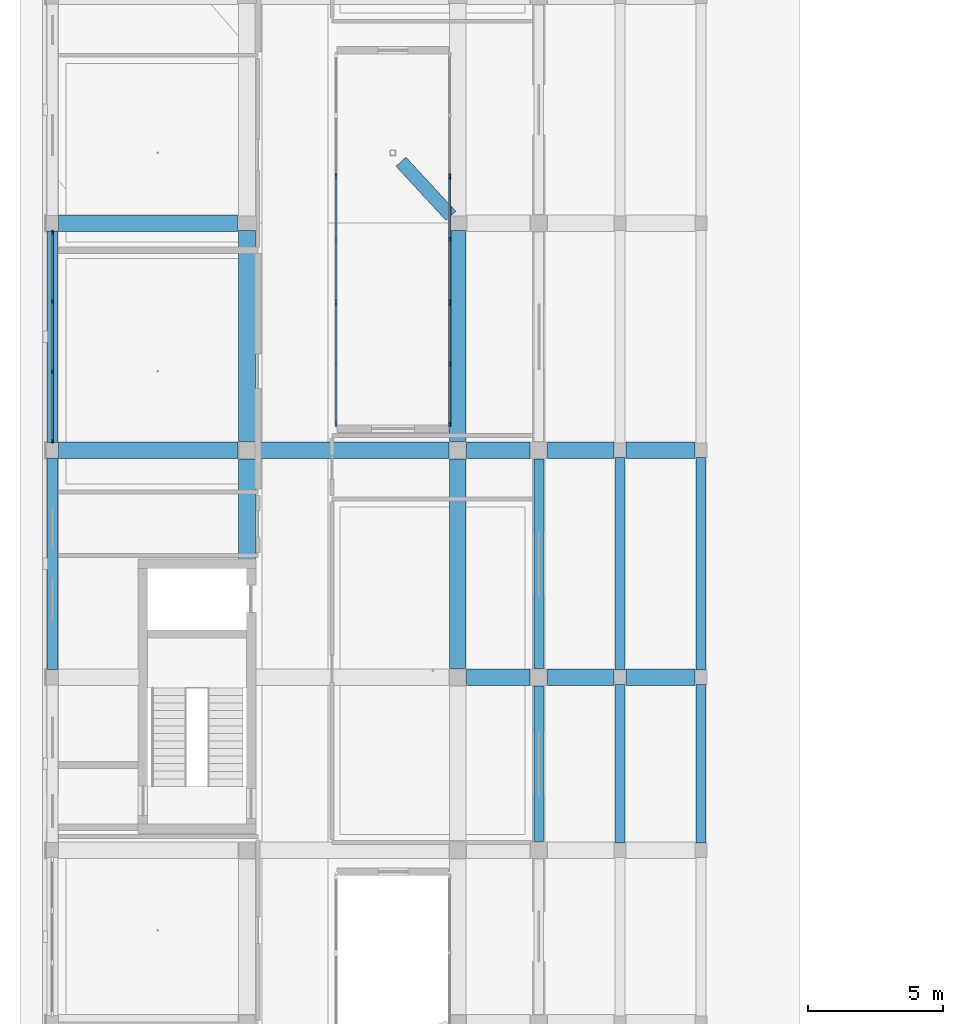
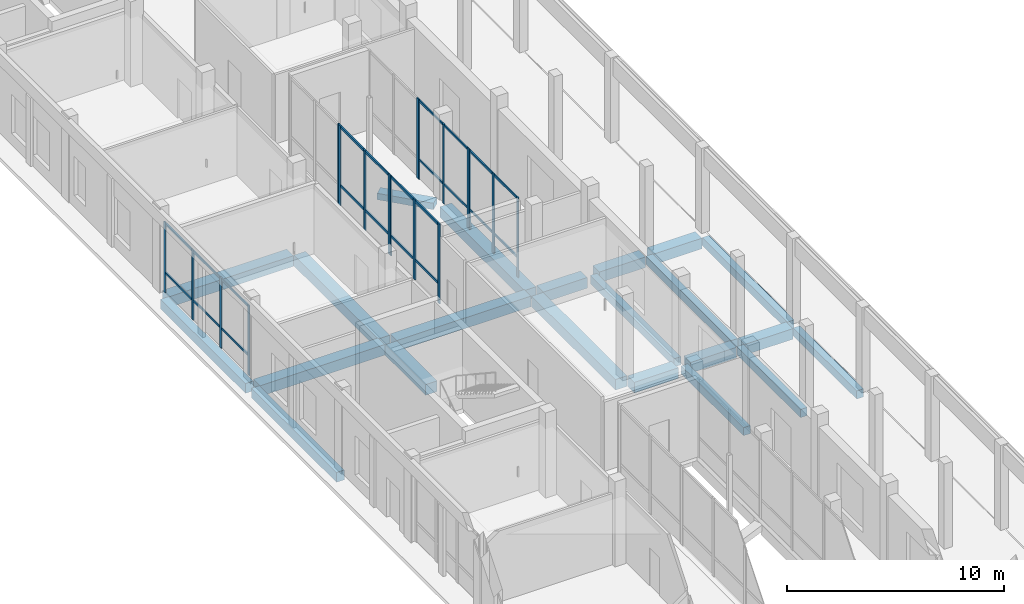
# One storey, part 21 of 88: 28 members, 22 beams, 7 elements without a shape of their own.
"""IFC4 building model written with IfcOpenShell, lengths in metres."""

from ifc_helpers import new_model, si_unit, derived_unit, direction, frame, origin, origin_2d, place, context, subcontext, project, spatial, rectangle, extrude, material, material_profile, profile_set, type_object, element, aggregate, save


model = new_model("IFC4")

# Units and contexts
model_context = context("Model", 3, precision=1e-05, world=origin(), true_north=direction((0.0, 1.0)))
body_context = subcontext(model_context, "Body", "Model", "MODEL_VIEW")
ifc_project = project(units=[si_unit("LENGTHUNIT", "METRE"), si_unit("AREAUNIT", "SQUARE_METRE"), si_unit("VOLUMEUNIT", "CUBIC_METRE"), si_unit("PLANEANGLEUNIT", "RADIAN"), si_unit("MASSUNIT", "GRAM", prefix="KILO"), derived_unit("THERMALTRANSMITTANCEUNIT", [(si_unit("POWERUNIT", "WATT"), 1), (si_unit("LENGTHUNIT", "METRE"), -2), (si_unit("THERMODYNAMICTEMPERATUREUNIT", "KELVIN"), -1)])], contexts=[model_context])

# Site, building, storey
site_placement = place(None, origin())
site = spatial("IfcSite", under=ifc_project, at=site_placement, CompositionType="ELEMENT")
building_placement = place(site_placement, origin())
building = spatial("IfcBuilding", under=site, at=building_placement, Name="Braskholm Square Health Centre", CompositionType="ELEMENT")
storey_placement = place(building_placement, origin())
storey = spatial("IfcBuildingStorey", under=building, at=storey_placement, Name="L01", CompositionType="ELEMENT", Elevation=0.0)

# Curtain wall, members
ifc_material_1 = material(Name="Low-E triple insulating glass (VLT 0.64)", Category="glass")
curtain_wall_type_1 = type_object("IfcCurtainWallType", Name="UnitisedCurtainWall6200x4100", PredefinedType="NOTDEFINED", material=ifc_material_1)
curtain_wall_1_placement = place(storey_placement, origin())
curtain_wall_1 = element("IfcCurtainWall", 1, at=curtain_wall_1_placement, inside=storey, type_object=curtain_wall_type_1, Name="West Storefront unitised curtain wall CW-L01-0004", PredefinedType="NOTDEFINED")
ifc_material_2 = material(Name="Architectural bronze anodised aluminium", Category="aluminium")
ifc_material_profile_1 = material_profile(ifc_material_2, rectangle(XDim=0.06494140625, YDim=0.14990234375, at=origin_2d()), Name="ALU-65X150")
ifc_profile_set_1 = profile_set([ifc_material_profile_1], Name="Architectural bronze anodised aluminium")
member_type_1 = type_object("IfcMemberType", Name="CurtainWallMullion65x150", PredefinedType="MULLION", material=ifc_profile_set_1)
member_1_placement = place(storey_placement, frame((4.199951171875, 71.863037109375, 0.0), z_axis=(0.0, 0.0, 1.0), x_axis=(1.0, 0.0, 0.0)))
member_1 = element("IfcMember", 2, at=member_1_placement, type_object=member_type_1, Name="CW-L01-0004 vertical mullion 1", PredefinedType="MULLION", context=body_context, shape_type="SweptSolid", body=[
    extrude(rectangle(XDim=0.06494140625, YDim=0.14990234375, at=origin_2d()), origin(), (0.0, 0.0, 1.0), 3.949951171875),
])
member_2_placement = place(storey_placement, frame((4.199951171875, 69.30322265625, 0.0), z_axis=(0.0, 0.0, 1.0), x_axis=(1.0, 0.0, 0.0)))
member_2 = element("IfcMember", 3, at=member_2_placement, type_object=member_type_1, Name="CW-L01-0004 vertical mullion 2", PredefinedType="MULLION", context=body_context, shape_type="SweptSolid", body=[
    extrude(rectangle(XDim=0.06494140625, YDim=0.14990234375, at=origin_2d()), origin(), (0.0, 0.0, 1.0), 3.949951171875),
])
member_3_placement = place(storey_placement, frame((4.199951171875, 66.69677734375, 0.0), z_axis=(0.0, 0.0, 1.0), x_axis=(1.0, 0.0, 0.0)))
member_3 = element("IfcMember", 4, at=member_3_placement, type_object=member_type_1, Name="CW-L01-0004 vertical mullion 3", PredefinedType="MULLION", context=body_context, shape_type="SweptSolid", body=[
    extrude(rectangle(XDim=0.06494140625, YDim=0.14990234375, at=origin_2d()), origin(), (0.0, 0.0, 1.0), 3.949951171875),
])
member_4_placement = place(storey_placement, frame((4.199951171875, 64.136962890625, 0.0), z_axis=(0.0, 0.0, 1.0), x_axis=(1.0, 0.0, 0.0)))
member_4 = element("IfcMember", 5, at=member_4_placement, type_object=member_type_1, Name="CW-L01-0004 vertical mullion 4", PredefinedType="MULLION", context=body_context, shape_type="SweptSolid", body=[
    extrude(rectangle(XDim=0.06494140625, YDim=0.14990234375, at=origin_2d()), origin(), (0.0, 0.0, 1.0), 3.949951171875),
])

curtain_wall_type_2 = type_object("IfcCurtainWallType", Name="UnitisedCurtainWall4800x4400", PredefinedType="NOTDEFINED", material=ifc_material_1)
curtain_wall_2_placement = place(storey_placement, origin())
curtain_wall_2 = element("IfcCurtainWall", 6, at=curtain_wall_2_placement, inside=storey, type_object=curtain_wall_type_2, Name="WC2 Court E unitised curtain wall CW-L01-0286", PredefinedType="NOTDEFINED")
member_5_placement = place(storey_placement, frame((18.89990234375, 69.23486328125, 0.0), z_axis=(0.0, 0.0, 1.0), x_axis=(1.0, 0.0, 0.0)))
member_5 = element("IfcMember", 7, at=member_5_placement, type_object=member_type_1, Name="CW-L01-0286 vertical mullion 1", PredefinedType="MULLION", context=body_context, shape_type="SweptSolid", body=[
    extrude(rectangle(XDim=0.06494140625, YDim=0.14990234375, at=origin_2d()), origin(), (0.0, 0.0, 1.0), 4.5),
])
member_6_placement = place(storey_placement, frame((18.89990234375, 67.0009765625, 0.0), z_axis=(0.0, 0.0, 1.0), x_axis=(1.0, 0.0, 0.0)))
member_6 = element("IfcMember", 8, at=member_6_placement, type_object=member_type_1, Name="CW-L01-0286 vertical mullion 2", PredefinedType="MULLION", context=body_context, shape_type="SweptSolid", body=[
    extrude(rectangle(XDim=0.06494140625, YDim=0.14990234375, at=origin_2d()), origin(), (0.0, 0.0, 1.0), 4.5),
])
member_7_placement = place(storey_placement, frame((18.89990234375, 64.76708984375, 0.0), z_axis=(0.0, 0.0, 1.0), x_axis=(1.0, 0.0, 0.0)))
member_7 = element("IfcMember", 9, at=member_7_placement, type_object=member_type_1, Name="CW-L01-0286 vertical mullion 3", PredefinedType="MULLION", context=body_context, shape_type="SweptSolid", body=[
    extrude(rectangle(XDim=0.06494140625, YDim=0.14990234375, at=origin_2d()), origin(), (0.0, 0.0, 1.0), 4.5),
])

curtain_wall_3_placement = place(storey_placement, origin())
curtain_wall_3 = element("IfcCurtainWall", 10, at=curtain_wall_3_placement, inside=storey, type_object=curtain_wall_type_2, Name="WC2 Court E unitised curtain wall CW-L01-0288", PredefinedType="NOTDEFINED")
member_8_placement = place(storey_placement, frame((18.89990234375, 73.900146484375, 0.0), z_axis=(0.0, 0.0, 1.0), x_axis=(1.0, 0.0, 0.0)))
member_8 = element("IfcMember", 11, at=member_8_placement, type_object=member_type_1, Name="CW-L01-0288 vertical mullion 1", PredefinedType="MULLION", context=body_context, shape_type="SweptSolid", body=[
    extrude(rectangle(XDim=0.06494140625, YDim=0.14990234375, at=origin_2d()), origin(), (0.0, 0.0, 1.0), 4.5),
])
member_9_placement = place(storey_placement, frame((18.89990234375, 71.60009765625, 0.0), z_axis=(0.0, 0.0, 1.0), x_axis=(1.0, 0.0, 0.0)))
member_9 = element("IfcMember", 12, at=member_9_placement, type_object=member_type_1, Name="CW-L01-0288 vertical mullion 2", PredefinedType="MULLION", context=body_context, shape_type="SweptSolid", body=[
    extrude(rectangle(XDim=0.06494140625, YDim=0.14990234375, at=origin_2d()), origin(), (0.0, 0.0, 1.0), 4.5),
])
member_10_placement = place(storey_placement, frame((18.89990234375, 69.2998046875, 0.0), z_axis=(0.0, 0.0, 1.0), x_axis=(1.0, 0.0, 0.0)))
member_10 = element("IfcMember", 13, at=member_10_placement, type_object=member_type_1, Name="CW-L01-0288 vertical mullion 3", PredefinedType="MULLION", context=body_context, shape_type="SweptSolid", body=[
    extrude(rectangle(XDim=0.06494140625, YDim=0.14990234375, at=origin_2d()), origin(), (0.0, 0.0, 1.0), 4.5),
])

# Curtain wall, member
curtain_wall_4_placement = place(storey_placement, origin())
curtain_wall_4 = element("IfcCurtainWall", 14, at=curtain_wall_4_placement, inside=storey, type_object=curtain_wall_type_2, Name="WC2 Court E unitised curtain wall CW-L01-0290", PredefinedType="NOTDEFINED")
member_11_placement = place(storey_placement, frame((18.89990234375, 73.965087890625, 0.0), z_axis=(0.0, 0.0, 1.0), x_axis=(1.0, 0.0, 0.0)))
member_11 = element("IfcMember", 15, at=member_11_placement, type_object=member_type_1, Name="CW-L01-0290 vertical mullion 3", PredefinedType="MULLION", context=body_context, shape_type="SweptSolid", body=[
    extrude(rectangle(XDim=0.06494140625, YDim=0.14990234375, at=origin_2d()), origin(), (0.0, 0.0, 1.0), 4.5),
])
aggregate(curtain_wall_4, [member_11])

# Curtain wall, members
curtain_wall_5_placement = place(storey_placement, origin())
curtain_wall_5 = element("IfcCurtainWall", 16, at=curtain_wall_5_placement, inside=storey, type_object=curtain_wall_type_2, Name="WC2 Court W unitised curtain wall CW-L01-0285", PredefinedType="NOTDEFINED")
ifc_material_profile_2 = material_profile(ifc_material_2, rectangle(XDim=0.074951171875, YDim=0.179931640625, at=origin_2d()), Name="ALU-75X180")
ifc_profile_set_2 = profile_set([ifc_material_profile_2], Name="Architectural bronze anodised aluminium")
member_type_2 = type_object("IfcMemberType", Name="CurtainWallMullion75x180", PredefinedType="MULLION", material=ifc_profile_set_2)
member_12_placement = place(storey_placement, frame((14.699951171875, 64.76708984375, 0.0), z_axis=(0.0, 0.0, 1.0), x_axis=(1.0, 0.0, 0.0)))
member_12 = element("IfcMember", 17, at=member_12_placement, type_object=member_type_2, Name="CW-L01-0285 vertical mullion 1", PredefinedType="MULLION", context=body_context, shape_type="SweptSolid", body=[
    extrude(rectangle(XDim=0.074951171875, YDim=0.179931640625, at=origin_2d()), origin(), (0.0, 0.0, 1.0), 4.5),
])
member_13_placement = place(storey_placement, frame((14.699951171875, 67.0009765625, 0.0), z_axis=(0.0, 0.0, 1.0), x_axis=(1.0, 0.0, 0.0)))
member_13 = element("IfcMember", 18, at=member_13_placement, type_object=member_type_2, Name="CW-L01-0285 vertical mullion 2", PredefinedType="MULLION", context=body_context, shape_type="SweptSolid", body=[
    extrude(rectangle(XDim=0.074951171875, YDim=0.179931640625, at=origin_2d()), origin(), (0.0, 0.0, 1.0), 4.5),
])
member_14_placement = place(storey_placement, frame((14.699951171875, 69.23486328125, 0.0), z_axis=(0.0, 0.0, 1.0), x_axis=(1.0, 0.0, 0.0)))
member_14 = element("IfcMember", 19, at=member_14_placement, type_object=member_type_2, Name="CW-L01-0285 vertical mullion 3", PredefinedType="MULLION", context=body_context, shape_type="SweptSolid", body=[
    extrude(rectangle(XDim=0.074951171875, YDim=0.179931640625, at=origin_2d()), origin(), (0.0, 0.0, 1.0), 4.5),
])

curtain_wall_6_placement = place(storey_placement, origin())
curtain_wall_6 = element("IfcCurtainWall", 20, at=curtain_wall_6_placement, inside=storey, type_object=curtain_wall_type_2, Name="WC2 Court W unitised curtain wall CW-L01-0287", PredefinedType="NOTDEFINED")
member_15_placement = place(storey_placement, frame((14.699951171875, 69.2998046875, 0.0), z_axis=(0.0, 0.0, 1.0), x_axis=(1.0, 0.0, 0.0)))
member_15 = element("IfcMember", 21, at=member_15_placement, type_object=member_type_2, Name="CW-L01-0287 vertical mullion 1", PredefinedType="MULLION", context=body_context, shape_type="SweptSolid", body=[
    extrude(rectangle(XDim=0.074951171875, YDim=0.179931640625, at=origin_2d()), origin(), (0.0, 0.0, 1.0), 4.5),
])
member_16_placement = place(storey_placement, frame((14.699951171875, 71.60009765625, 0.0), z_axis=(0.0, 0.0, 1.0), x_axis=(1.0, 0.0, 0.0)))
member_16 = element("IfcMember", 22, at=member_16_placement, type_object=member_type_2, Name="CW-L01-0287 vertical mullion 2", PredefinedType="MULLION", context=body_context, shape_type="SweptSolid", body=[
    extrude(rectangle(XDim=0.074951171875, YDim=0.179931640625, at=origin_2d()), origin(), (0.0, 0.0, 1.0), 4.5),
])
member_17_placement = place(storey_placement, frame((14.699951171875, 73.900146484375, 0.0), z_axis=(0.0, 0.0, 1.0), x_axis=(1.0, 0.0, 0.0)))
member_17 = element("IfcMember", 23, at=member_17_placement, type_object=member_type_2, Name="CW-L01-0287 vertical mullion 3", PredefinedType="MULLION", context=body_context, shape_type="SweptSolid", body=[
    extrude(rectangle(XDim=0.074951171875, YDim=0.179931640625, at=origin_2d()), origin(), (0.0, 0.0, 1.0), 4.5),
])

# Curtain wall, member
curtain_wall_7_placement = place(storey_placement, origin())
curtain_wall_7 = element("IfcCurtainWall", 24, at=curtain_wall_7_placement, inside=storey, type_object=curtain_wall_type_2, Name="WC2 Court W unitised curtain wall CW-L01-0289", PredefinedType="NOTDEFINED")
member_18_placement = place(storey_placement, frame((14.699951171875, 73.965087890625, 0.0), z_axis=(0.0, 0.0, 1.0), x_axis=(1.0, 0.0, 0.0)))
member_18 = element("IfcMember", 25, at=member_18_placement, type_object=member_type_2, Name="CW-L01-0289 vertical mullion 1", PredefinedType="MULLION", context=body_context, shape_type="SweptSolid", body=[
    extrude(rectangle(XDim=0.074951171875, YDim=0.179931640625, at=origin_2d()), origin(), (0.0, 0.0, 1.0), 4.5),
])
aggregate(curtain_wall_7, [member_18])

# Member
ifc_material_profile_3 = material_profile(ifc_material_2, rectangle(XDim=0.06494140625, YDim=0.1201171875, at=origin_2d()), Name="ALU-65X120")
ifc_profile_set_3 = profile_set([ifc_material_profile_3], Name="Architectural bronze anodised aluminium")
member_type_3 = type_object("IfcMemberType", Name="CurtainWallTransom65x120", PredefinedType="USERDEFINED", material=ifc_profile_set_3)
member_19_placement = place(storey_placement, frame((4.199951171875, 71.864990234375, 1.1201171875), z_axis=(0.0, -1.0, 0.0), x_axis=(1.0, 0.0, 0.0)))
member_19 = element("IfcMember", 26, at=member_19_placement, type_object=member_type_3, Name="CW-L01-0004 horizontal transom 1", ObjectType="TRANSOM", PredefinedType="USERDEFINED", context=body_context, shape_type="SweptSolid", body=[
    extrude(rectangle(XDim=0.06494140625, YDim=0.1201171875, at=origin_2d()), origin(), (0.0, 0.0, 1.0), 7.72998046875),
])

member_20_placement = place(storey_placement, frame((4.199951171875, 71.864990234375, 3.8798828125), z_axis=(0.0, -1.0, 0.0), x_axis=(1.0, 0.0, 0.0)))
member_20 = element("IfcMember", 27, at=member_20_placement, type_object=member_type_3, Name="CW-L01-0004 horizontal transom 2", ObjectType="TRANSOM", PredefinedType="USERDEFINED", context=body_context, shape_type="SweptSolid", body=[
    extrude(rectangle(XDim=0.06494140625, YDim=0.1201171875, at=origin_2d()), origin(), (0.0, 0.0, 1.0), 7.72998046875),
])

aggregate(curtain_wall_1, [member_1, member_2, member_3, member_4, member_19, member_20])

member_21_placement = place(storey_placement, frame((18.89990234375, 69.217041015625, 1.1201171875), z_axis=(0.0, -1.0, 0.0), x_axis=(1.0, 0.0, 0.0)))
member_21 = element("IfcMember", 28, at=member_21_placement, type_object=member_type_3, Name="CW-L01-0286 horizontal transom 1", ObjectType="TRANSOM", PredefinedType="USERDEFINED", context=body_context, shape_type="SweptSolid", body=[
    extrude(rectangle(XDim=0.06494140625, YDim=0.1201171875, at=origin_2d()), origin(), (0.0, 0.0, 1.0), 4.43212890625),
])

member_22_placement = place(storey_placement, frame((18.89990234375, 69.217041015625, 4.429931640625), z_axis=(0.0, -1.0, 0.0), x_axis=(1.0, 0.0, 0.0)))
member_22 = element("IfcMember", 29, at=member_22_placement, type_object=member_type_3, Name="CW-L01-0286 horizontal transom 2", ObjectType="TRANSOM", PredefinedType="USERDEFINED", context=body_context, shape_type="SweptSolid", body=[
    extrude(rectangle(XDim=0.06494140625, YDim=0.1201171875, at=origin_2d()), origin(), (0.0, 0.0, 1.0), 4.43212890625),
])

aggregate(curtain_wall_2, [member_5, member_6, member_7, member_21, member_22])

member_23_placement = place(storey_placement, frame((18.89990234375, 73.883056640625, 1.1201171875), z_axis=(0.0, -1.0, 0.0), x_axis=(1.0, 0.0, 0.0)))
member_23 = element("IfcMember", 30, at=member_23_placement, type_object=member_type_3, Name="CW-L01-0288 horizontal transom 1", ObjectType="TRANSOM", PredefinedType="USERDEFINED", context=body_context, shape_type="SweptSolid", body=[
    extrude(rectangle(XDim=0.06494140625, YDim=0.1201171875, at=origin_2d()), origin(), (0.0, 0.0, 1.0), 4.566162109375),
])

member_24_placement = place(storey_placement, frame((18.89990234375, 73.883056640625, 4.429931640625), z_axis=(0.0, -1.0, 0.0), x_axis=(1.0, 0.0, 0.0)))
member_24 = element("IfcMember", 31, at=member_24_placement, type_object=member_type_3, Name="CW-L01-0288 horizontal transom 2", ObjectType="TRANSOM", PredefinedType="USERDEFINED", context=body_context, shape_type="SweptSolid", body=[
    extrude(rectangle(XDim=0.06494140625, YDim=0.1201171875, at=origin_2d()), origin(), (0.0, 0.0, 1.0), 4.566162109375),
])

aggregate(curtain_wall_3, [member_8, member_9, member_10, member_23, member_24])

ifc_material_profile_4 = material_profile(ifc_material_2, rectangle(XDim=0.074951171875, YDim=0.139892578125, at=origin_2d()), Name="ALU-75X140")
ifc_profile_set_4 = profile_set([ifc_material_profile_4], Name="Architectural bronze anodised aluminium")
member_type_4 = type_object("IfcMemberType", Name="CurtainWallTransom75x140", PredefinedType="USERDEFINED", material=ifc_profile_set_4)
member_25_placement = place(storey_placement, frame((14.699951171875, 64.784912109375, 1.1201171875), z_axis=(0.0, 1.0, 0.0), x_axis=(-1.0, 0.0, 0.0)))
member_25 = element("IfcMember", 32, at=member_25_placement, type_object=member_type_4, Name="CW-L01-0285 horizontal transom 1", ObjectType="TRANSOM", PredefinedType="USERDEFINED", context=body_context, shape_type="SweptSolid", body=[
    extrude(rectangle(XDim=0.074951171875, YDim=0.139892578125, at=origin_2d()), origin(), (0.0, 0.0, 1.0), 4.43212890625),
])

member_26_placement = place(storey_placement, frame((14.699951171875, 64.784912109375, 4.429931640625), z_axis=(0.0, 1.0, 0.0), x_axis=(-1.0, 0.0, 0.0)))
member_26 = element("IfcMember", 33, at=member_26_placement, type_object=member_type_4, Name="CW-L01-0285 horizontal transom 2", ObjectType="TRANSOM", PredefinedType="USERDEFINED", context=body_context, shape_type="SweptSolid", body=[
    extrude(rectangle(XDim=0.074951171875, YDim=0.139892578125, at=origin_2d()), origin(), (0.0, 0.0, 1.0), 4.43212890625),
])

aggregate(curtain_wall_5, [member_12, member_13, member_14, member_25, member_26])

member_27_placement = place(storey_placement, frame((14.699951171875, 69.31689453125, 1.1201171875), z_axis=(0.0, 1.0, 0.0), x_axis=(-1.0, 0.0, 0.0)))
member_27 = element("IfcMember", 34, at=member_27_placement, type_object=member_type_4, Name="CW-L01-0287 horizontal transom 1", ObjectType="TRANSOM", PredefinedType="USERDEFINED", context=body_context, shape_type="SweptSolid", body=[
    extrude(rectangle(XDim=0.074951171875, YDim=0.139892578125, at=origin_2d()), origin(), (0.0, 0.0, 1.0), 4.566162109375),
])

member_28_placement = place(storey_placement, frame((14.699951171875, 69.31689453125, 4.429931640625), z_axis=(0.0, 1.0, 0.0), x_axis=(-1.0, 0.0, 0.0)))
member_28 = element("IfcMember", 35, at=member_28_placement, type_object=member_type_4, Name="CW-L01-0287 horizontal transom 2", ObjectType="TRANSOM", PredefinedType="USERDEFINED", context=body_context, shape_type="SweptSolid", body=[
    extrude(rectangle(XDim=0.074951171875, YDim=0.139892578125, at=origin_2d()), origin(), (0.0, 0.0, 1.0), 4.566162109375),
])

aggregate(curtain_wall_6, [member_15, member_16, member_17, member_27, member_28])

# Beams
ifc_material_3 = material(Name="Concrete C35/45 (f'c = 35 MPa)", Category="concrete")
ifc_material_profile_5 = material_profile(ifc_material_3, rectangle(XDim=0.5, YDim=0.360107421875, at=origin_2d()), Name="RCB-500X360")
ifc_profile_set_5 = profile_set([ifc_material_profile_5], Name="Concrete C35/45 (f'c = 35 MPa)")
beam_type_1 = type_object("IfcBeamType", Name="PrimaryBandBeam500x360", PredefinedType="BEAM", material=ifc_profile_set_5)
beam_1_placement = place(storey_placement, frame((17.0986328125, 74.4765625, -0.56005859375), z_axis=(0.678239184414, -0.734841213273, 0.0), x_axis=(0.734841213273, 0.678239184414, 0.0)))
element("IfcBeam", 36, at=beam_1_placement, inside=storey, type_object=beam_type_1, Name="Tie beam CS3E L01", PredefinedType="BEAM", context=body_context, shape_type="SweptSolid", body=[
    extrude(rectangle(XDim=0.5, YDim=0.360107421875, at=origin_2d()), origin(), (0.0, 0.0, 1.0), 2.72607421875),
])
ifc_material_4 = material(Name="Concrete C40/50 (f'c = 40 MPa)", Category="concrete")
ifc_material_profile_6 = material_profile(ifc_material_4, rectangle(XDim=0.6201171875, YDim=0.60009765625, at=origin_2d()), Name="RCB-620X600")
ifc_profile_set_6 = profile_set([ifc_material_profile_6], Name="Concrete C40/50 (f'c = 40 MPa)")
beam_type_2 = type_object("IfcBeamType", Name="PrimarySubstructureBeam620x600", PredefinedType="BEAM", material=ifc_profile_set_6)
beam_2_placement = place(storey_placement, frame((11.39990234375, 59.75, -0.60009765625), z_axis=(0.0, 1.0, 0.0), x_axis=(-1.0, 0.0, 0.0)))
element("IfcBeam", 37, at=beam_2_placement, inside=storey, type_object=beam_type_2, Name="Beam 2/H-K L01", PredefinedType="BEAM", context=body_context, shape_type="SweptSolid", body=[
    extrude(rectangle(XDim=0.6201171875, YDim=0.60009765625, at=origin_2d()), origin(), (0.0, 0.0, 1.0), 3.72509765625),
])
beam_3_placement = place(storey_placement, frame((11.39990234375, 64.125, -0.679931640625), z_axis=(0.0, 1.0, 0.0), x_axis=(-1.0, 0.0, 0.0)))
element("IfcBeam", 38, at=beam_3_placement, inside=storey, type_object=beam_type_2, Name="Beam 2/K-L L01", PredefinedType="BEAM", context=body_context, shape_type="SweptSolid", body=[
    extrude(rectangle(XDim=0.6201171875, YDim=0.60009765625, at=origin_2d()), origin(), (0.0, 0.0, 1.0), 7.800048828125),
])
beam_4_placement = place(storey_placement, frame((19.199951171875, 55.72509765625, -0.60009765625), z_axis=(0.0, 1.0, 0.0), x_axis=(-1.0, 0.0, 0.0)))
element("IfcBeam", 39, at=beam_4_placement, inside=storey, type_object=beam_type_2, Name="Beam 3/J-K L01", PredefinedType="BEAM", context=body_context, shape_type="SweptSolid", body=[
    extrude(rectangle(XDim=0.6201171875, YDim=0.60009765625, at=origin_2d()), origin(), (0.0, 0.0, 1.0), 7.75),
])
beam_5_placement = place(storey_placement, frame((19.199951171875, 64.125, -0.679931640625), z_axis=(0.0, 1.0, 0.0), x_axis=(-1.0, 0.0, 0.0)))
element("IfcBeam", 40, at=beam_5_placement, inside=storey, type_object=beam_type_2, Name="Beam 3/K-L L01", PredefinedType="BEAM", context=body_context, shape_type="SweptSolid", body=[
    extrude(rectangle(XDim=0.6201171875, YDim=0.60009765625, at=origin_2d()), origin(), (0.0, 0.0, 1.0), 7.800048828125),
])
beam_6_placement = place(storey_placement, frame((19.52490234375, 55.39990234375, -0.60009765625), z_axis=(1.0, 0.0, 0.0), x_axis=(0.0, 1.0, 0.0)))
element("IfcBeam", 41, at=beam_6_placement, inside=storey, type_object=beam_type_2, Name="Beam 3-4/J L01", PredefinedType="BEAM", context=body_context, shape_type="SweptSolid", body=[
    extrude(rectangle(XDim=0.6201171875, YDim=0.60009765625, at=origin_2d()), origin(), (0.0, 0.0, 1.0), 2.35009765625),
])
beam_7_placement = place(storey_placement, frame((22.52490234375, 55.39990234375, -0.52490234375), z_axis=(1.0, 0.0, 0.0), x_axis=(0.0, 1.0, 0.0)))
element("IfcBeam", 42, at=beam_7_placement, inside=storey, type_object=beam_type_2, Name="Beam 4-5/J L01", PredefinedType="BEAM", context=body_context, shape_type="SweptSolid", body=[
    extrude(rectangle(XDim=0.6201171875, YDim=0.60009765625, at=origin_2d()), origin(), (0.0, 0.0, 1.0), 2.455078125),
])
beam_8_placement = place(storey_placement, frame((25.419921875, 55.39990234375, -0.52490234375), z_axis=(1.0, 0.0, 0.0), x_axis=(0.0, 1.0, 0.0)))
element("IfcBeam", 43, at=beam_8_placement, inside=storey, type_object=beam_type_2, Name="Beam 5-6/J L01", PredefinedType="BEAM", context=body_context, shape_type="SweptSolid", body=[
    extrude(rectangle(XDim=0.6201171875, YDim=0.60009765625, at=origin_2d()), origin(), (0.0, 0.0, 1.0), 2.56005859375),
])
beam_9_placement = place(storey_placement, frame((4.429931640625, 63.800048828125, -0.60009765625), z_axis=(1.0, 0.0, 0.0), x_axis=(0.0, 1.0, 0.0)))
element("IfcBeam", 44, at=beam_9_placement, inside=storey, type_object=beam_type_2, Name="Beam 1-2/K L01", PredefinedType="BEAM", context=body_context, shape_type="SweptSolid", body=[
    extrude(rectangle(XDim=0.6201171875, YDim=0.60009765625, at=origin_2d()), origin(), (0.0, 0.0, 1.0), 6.64501953125),
])
beam_10_placement = place(storey_placement, frame((11.72509765625, 63.800048828125, -0.60009765625), z_axis=(1.0, 0.0, 0.0), x_axis=(0.0, 1.0, 0.0)))
element("IfcBeam", 45, at=beam_10_placement, inside=storey, type_object=beam_type_2, Name="Beam 2-3/K L01", PredefinedType="BEAM", context=body_context, shape_type="SweptSolid", body=[
    extrude(rectangle(XDim=0.6201171875, YDim=0.60009765625, at=origin_2d()), origin(), (0.0, 0.0, 1.0), 7.14990234375),
])
beam_11_placement = place(storey_placement, frame((19.52490234375, 63.800048828125, -0.60009765625), z_axis=(1.0, 0.0, 0.0), x_axis=(0.0, 1.0, 0.0)))
element("IfcBeam", 46, at=beam_11_placement, inside=storey, type_object=beam_type_2, Name="Beam 3-4/K L01", PredefinedType="BEAM", context=body_context, shape_type="SweptSolid", body=[
    extrude(rectangle(XDim=0.6201171875, YDim=0.60009765625, at=origin_2d()), origin(), (0.0, 0.0, 1.0), 2.35009765625),
])
beam_12_placement = place(storey_placement, frame((22.52490234375, 63.800048828125, -0.52490234375), z_axis=(1.0, 0.0, 0.0), x_axis=(0.0, 1.0, 0.0)))
element("IfcBeam", 47, at=beam_12_placement, inside=storey, type_object=beam_type_2, Name="Beam 4-5/K L01", PredefinedType="BEAM", context=body_context, shape_type="SweptSolid", body=[
    extrude(rectangle(XDim=0.6201171875, YDim=0.60009765625, at=origin_2d()), origin(), (0.0, 0.0, 1.0), 2.455078125),
])
beam_13_placement = place(storey_placement, frame((25.419921875, 63.800048828125, -0.52490234375), z_axis=(1.0, 0.0, 0.0), x_axis=(0.0, 1.0, 0.0)))
element("IfcBeam", 48, at=beam_13_placement, inside=storey, type_object=beam_type_2, Name="Beam 5-6/K L01", PredefinedType="BEAM", context=body_context, shape_type="SweptSolid", body=[
    extrude(rectangle(XDim=0.6201171875, YDim=0.60009765625, at=origin_2d()), origin(), (0.0, 0.0, 1.0), 2.56005859375),
])
beam_14_placement = place(storey_placement, frame((4.429931640625, 72.199951171875, -0.679931640625), z_axis=(1.0, 0.0, 0.0), x_axis=(0.0, 1.0, 0.0)))
element("IfcBeam", 49, at=beam_14_placement, inside=storey, type_object=beam_type_2, Name="Beam 1-2/L L01", PredefinedType="BEAM", context=body_context, shape_type="SweptSolid", body=[
    extrude(rectangle(XDim=0.6201171875, YDim=0.60009765625, at=origin_2d()), origin(), (0.0, 0.0, 1.0), 6.6201171875),
])
ifc_material_5 = material(Name="Precast concrete C40/50 architectural white", Category="concrete")
ifc_material_profile_7 = material_profile(ifc_material_5, rectangle(XDim=0.419921875, YDim=0.550048828125, at=origin_2d()), Name="RCB-420X550")
ifc_profile_set_7 = profile_set([ifc_material_profile_7], Name="Precast concrete C40/50 architectural white")
beam_type_3 = type_object("IfcBeamType", Name="SpandrelPrecastLedge420x550", PredefinedType="SPANDREL", material=ifc_profile_set_7)
beam_15_placement = place(storey_placement, frame((4.199951171875, 55.679931640625, -0.574951171875), z_axis=(0.0, 1.0, 0.0), x_axis=(-1.0, 0.0, 0.0)))
element("IfcBeam", 50, at=beam_15_placement, inside=storey, type_object=beam_type_3, Name="Beam 1/J-K L01", PredefinedType="SPANDREL", context=body_context, shape_type="SweptSolid", body=[
    extrude(rectangle(XDim=0.419921875, YDim=0.550048828125, at=origin_2d()), origin(), (0.0, 0.0, 1.0), 7.840087890625),
])
beam_16_placement = place(storey_placement, frame((4.199951171875, 64.080078125, -0.655029296875), z_axis=(0.0, 1.0, 0.0), x_axis=(-1.0, 0.0, 0.0)))
element("IfcBeam", 51, at=beam_16_placement, inside=storey, type_object=beam_type_3, Name="Beam 1/K-L L01", PredefinedType="SPANDREL", context=body_context, shape_type="SweptSolid", body=[
    extrude(rectangle(XDim=0.419921875, YDim=0.550048828125, at=origin_2d()), origin(), (0.0, 0.0, 1.0), 7.83984375),
])
ifc_material_profile_8 = material_profile(ifc_material_5, rectangle(XDim=0.360107421875, YDim=0.4599609375, at=origin_2d()), Name="RCB-360X460")
ifc_profile_set_8 = profile_set([ifc_material_profile_8], Name="Precast concrete C40/50 architectural white")
beam_type_4 = type_object("IfcBeamType", Name="SpandrelTerraceEdge360x460", PredefinedType="SPANDREL", material=ifc_profile_set_8)
beam_17_placement = place(storey_placement, frame((22.199951171875, 49.324951171875, -0.455078125), z_axis=(0.0, 1.0, 0.0), x_axis=(-1.0, 0.0, 0.0)))
element("IfcBeam", 52, at=beam_17_placement, inside=storey, type_object=beam_type_4, Name="Beam 4/H-J L01", PredefinedType="SPANDREL", context=body_context, shape_type="SweptSolid", body=[
    extrude(rectangle(XDim=0.360107421875, YDim=0.4599609375, at=origin_2d()), origin(), (0.0, 0.0, 1.0), 5.75),
])
beam_18_placement = place(storey_placement, frame((22.199951171875, 55.72509765625, -0.455078125), z_axis=(0.0, 1.0, 0.0), x_axis=(-1.0, 0.0, 0.0)))
element("IfcBeam", 53, at=beam_18_placement, inside=storey, type_object=beam_type_4, Name="Beam 4/J-K L01", PredefinedType="SPANDREL", context=body_context, shape_type="SweptSolid", body=[
    extrude(rectangle(XDim=0.360107421875, YDim=0.4599609375, at=origin_2d()), origin(), (0.0, 0.0, 1.0), 7.75),
])
beam_19_placement = place(storey_placement, frame((25.199951171875, 49.27001953125, -0.455078125), z_axis=(0.0, 1.0, 0.0), x_axis=(-1.0, 0.0, 0.0)))
element("IfcBeam", 54, at=beam_19_placement, inside=storey, type_object=beam_type_4, Name="Beam 5/H-J L01", PredefinedType="SPANDREL", context=body_context, shape_type="SweptSolid", body=[
    extrude(rectangle(XDim=0.360107421875, YDim=0.4599609375, at=origin_2d()), origin(), (0.0, 0.0, 1.0), 5.85986328125),
])
beam_20_placement = place(storey_placement, frame((25.199951171875, 55.669921875, -0.455078125), z_axis=(0.0, 1.0, 0.0), x_axis=(-1.0, 0.0, 0.0)))
element("IfcBeam", 55, at=beam_20_placement, inside=storey, type_object=beam_type_4, Name="Beam 5/J-K L01", PredefinedType="SPANDREL", context=body_context, shape_type="SweptSolid", body=[
    extrude(rectangle(XDim=0.360107421875, YDim=0.4599609375, at=origin_2d()), origin(), (0.0, 0.0, 1.0), 7.860107421875),
])
beam_21_placement = place(storey_placement, frame((28.199951171875, 49.27001953125, -0.455078125), z_axis=(0.0, 1.0, 0.0), x_axis=(-1.0, 0.0, 0.0)))
element("IfcBeam", 56, at=beam_21_placement, inside=storey, type_object=beam_type_4, Name="Beam 6/H-J L01", PredefinedType="SPANDREL", context=body_context, shape_type="SweptSolid", body=[
    extrude(rectangle(XDim=0.360107421875, YDim=0.4599609375, at=origin_2d()), origin(), (0.0, 0.0, 1.0), 5.85986328125),
])
beam_22_placement = place(storey_placement, frame((28.199951171875, 55.669921875, -0.455078125), z_axis=(0.0, 1.0, 0.0), x_axis=(-1.0, 0.0, 0.0)))
element("IfcBeam", 57, at=beam_22_placement, inside=storey, type_object=beam_type_4, Name="Beam 6/J-K L01", PredefinedType="SPANDREL", context=body_context, shape_type="SweptSolid", body=[
    extrude(rectangle(XDim=0.360107421875, YDim=0.4599609375, at=origin_2d()), origin(), (0.0, 0.0, 1.0), 7.860107421875),
])

save(model, "model.ifc")
